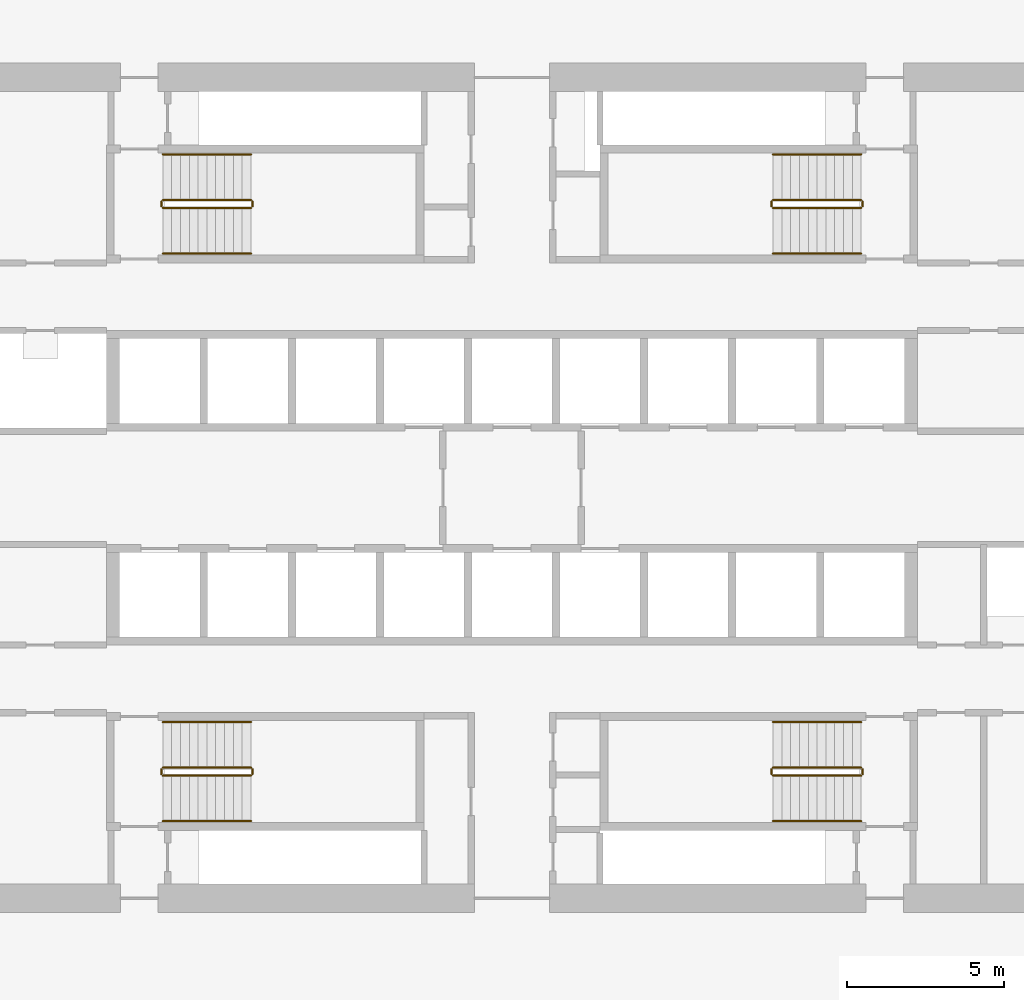
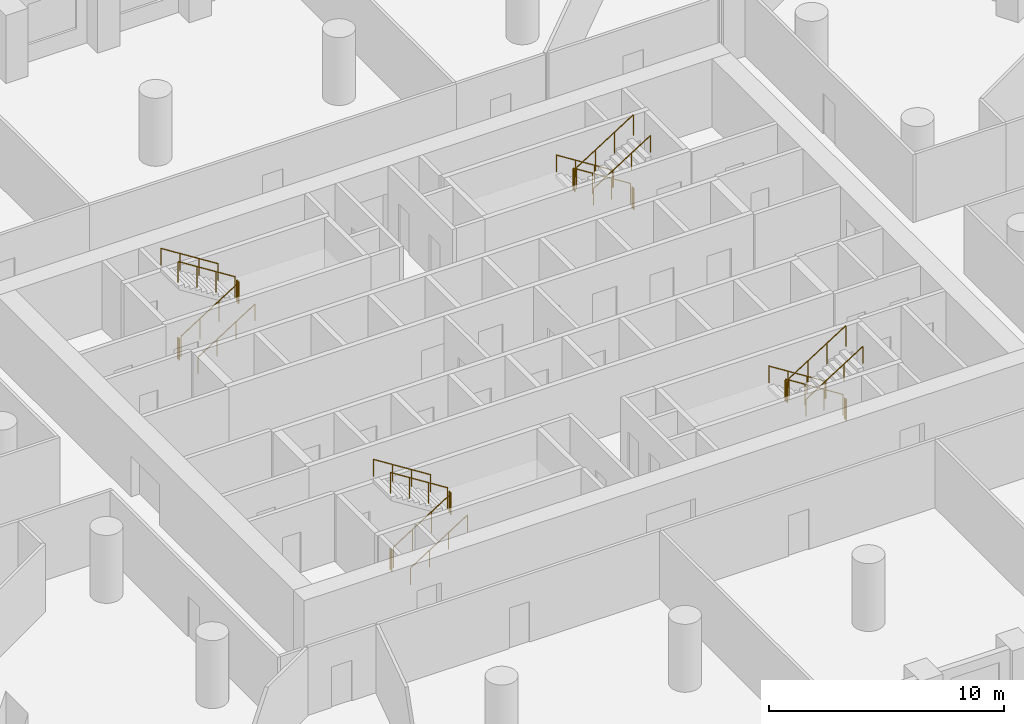
# One storey, part 10 of 10: 24 railings.
"""IFC4 building model written with IfcOpenShell, lengths in metres."""

from ifc_helpers import new_model, si_unit, direction, frame, origin, origin_2d, place, context, subcontext, project, spatial, circle, extrude, material, type_object, element, save


model = new_model("IFC4")

# Units and contexts
model_context = context("Model", 3, precision=1e-05, world=origin(), true_north=direction((0.0, 1.0)))
body_context = subcontext(model_context, "Body", "Model", "MODEL_VIEW")
ifc_project = project(units=[si_unit("LENGTHUNIT", "METRE"), si_unit("AREAUNIT", "SQUARE_METRE"), si_unit("VOLUMEUNIT", "CUBIC_METRE"), si_unit("PLANEANGLEUNIT", "RADIAN"), si_unit("MASSUNIT", "GRAM", prefix="KILO")], contexts=[model_context])

# Site, building, storey
site_placement = place(None, origin())
site = spatial("IfcSite", under=ifc_project, at=site_placement, CompositionType="ELEMENT")
building_placement = place(site_placement, origin())
building = spatial("IfcBuilding", under=site, at=building_placement, Name="Dhurran Vertical Campus", CompositionType="ELEMENT")
storey_placement = place(building_placement, frame((0.0, 0.0, 33.89990234375)))
storey = spatial("IfcBuildingStorey", under=building, at=storey_placement, Name="L07", CompositionType="ELEMENT", Elevation=33.89990234375)

# Railings
ifc_material_1 = material(Name="Stainless steel balustrade", Category="steel")
railing_type_1 = type_object("IfcRailingType", Name="co-RL-GUARD-1100", PredefinedType="GUARDRAIL", material=ifc_material_1)
railing_1_placement = place(storey_placement, frame((-11.10009765625, 8.89990234375, 0.177490234375)))
element("IfcRailing", 1, at=railing_1_placement, inside=storey, type_object=railing_type_1, Name="L07 ST1 stair guard 1", PredefinedType="GUARDRAIL", context=body_context, shape_type="SweptSolid", body=[
    extrude(circle(Radius=0.02392578125, at=origin_2d()), frame((0.0, 0.0, 1.076171875), z_axis=(0.844908973607, 0.0, 0.534910110503), x_axis=(0.0, 1.0, 0.0)), (0.0, 0.0, 1.0), 3.31396484375),
    extrude(circle(Radius=0.02099609375, at=origin_2d()), origin(), (0.0, 0.0, 1.0), 1.052001953125),
    extrude(circle(Radius=0.02099609375, at=origin_2d()), frame((0.933349609375, 0.0, 0.5908203125)), (0.0, 0.0, 1.0), 1.052001953125),
    extrude(circle(Radius=0.02099609375, at=origin_2d()), frame((1.86669921875, 0.0, 1.181884765625)), (0.0, 0.0, 1.0), 1.052001953125),
    extrude(circle(Radius=0.02099609375, at=origin_2d()), frame((2.800048828125, 0.0, 1.772705078125)), (0.0, 0.0, 1.0), 1.052001953125),
])
railing_2_placement = place(storey_placement, frame((-8.25, 8.949951171875, 1.9501953125)))
element("IfcRailing", 2, at=railing_2_placement, inside=storey, type_object=railing_type_1, Name="L07 ST1 stair guard 2", PredefinedType="GUARDRAIL", context=body_context, shape_type="SweptSolid", body=[
    extrude(circle(Radius=0.02392578125, at=origin_2d()), frame((0.0, 0.0, 1.076171875), z_axis=(0.0, 1.0, 0.0), x_axis=(-1.0, 0.0, 0.0)), (0.0, 0.0, 1.0), 0.150146484375),
    extrude(circle(Radius=0.02099609375, at=origin_2d()), origin(), (0.0, 0.0, 1.0), 1.052001953125),
    extrude(circle(Radius=0.02099609375, at=origin_2d()), frame((0.0, 0.150146484375, 0.0)), (0.0, 0.0, 1.0), 1.052001953125),
])
railing_3_placement = place(storey_placement, frame((-8.300048828125, 9.14990234375, 2.12744140625)))
element("IfcRailing", 3, at=railing_3_placement, inside=storey, type_object=railing_type_1, Name="L07 ST1 stair guard 3", PredefinedType="GUARDRAIL", context=body_context, shape_type="SweptSolid", body=[
    extrude(circle(Radius=0.02392578125, at=origin_2d()), frame((0.0, 0.0, 1.076171875), z_axis=(-0.844908973607, 0.0, 0.534910110503), x_axis=(0.0, -1.0, 0.0)), (0.0, 0.0, 1.0), 3.31396484375),
    extrude(circle(Radius=0.02099609375, at=origin_2d()), origin(), (0.0, 0.0, 1.0), 1.052001953125),
    extrude(circle(Radius=0.02099609375, at=origin_2d()), frame((-0.933349609375, 0.0, 0.5908203125)), (0.0, 0.0, 1.0), 1.052001953125),
    extrude(circle(Radius=0.02099609375, at=origin_2d()), frame((-1.86669921875, 0.0, 1.181884765625)), (0.0, 0.0, 1.0), 1.052001953125),
    extrude(circle(Radius=0.02099609375, at=origin_2d()), frame((-2.800048828125, 0.0, 1.772705078125)), (0.0, 0.0, 1.0), 1.052001953125),
])
railing_4_placement = place(storey_placement, frame((-11.14990234375, 8.949951171875, 0.0)))
element("IfcRailing", 4, at=railing_4_placement, inside=storey, type_object=railing_type_1, Name="L07 ST1 stair guard 4", PredefinedType="GUARDRAIL", context=body_context, shape_type="SweptSolid", body=[
    extrude(circle(Radius=0.02392578125, at=origin_2d()), frame((0.0, 0.0, 1.076171875), z_axis=(0.0, 1.0, 0.0), x_axis=(-1.0, 0.0, 0.0)), (0.0, 0.0, 1.0), 0.150146484375),
    extrude(circle(Radius=0.02099609375, at=origin_2d()), origin(), (0.0, 0.0, 1.0), 1.052001953125),
    extrude(circle(Radius=0.02099609375, at=origin_2d()), frame((0.0, 0.150146484375, 0.0)), (0.0, 0.0, 1.0), 1.052001953125),
])
railing_5_placement = place(storey_placement, frame((11.10009765625, 9.14990234375, 0.177490234375)))
element("IfcRailing", 5, at=railing_5_placement, inside=storey, type_object=railing_type_1, Name="L07 ST2 stair guard 1", PredefinedType="GUARDRAIL", context=body_context, shape_type="SweptSolid", body=[
    extrude(circle(Radius=0.02392578125, at=origin_2d()), frame((0.0, 0.0, 1.076171875), z_axis=(-0.844908973607, 0.0, 0.534910110503), x_axis=(0.0, -1.0, 0.0)), (0.0, 0.0, 1.0), 3.31396484375),
    extrude(circle(Radius=0.02099609375, at=origin_2d()), origin(), (0.0, 0.0, 1.0), 1.052001953125),
    extrude(circle(Radius=0.02099609375, at=origin_2d()), frame((-0.933349609375, 0.0, 0.5908203125)), (0.0, 0.0, 1.0), 1.052001953125),
    extrude(circle(Radius=0.02099609375, at=origin_2d()), frame((-1.86669921875, 0.0, 1.181884765625)), (0.0, 0.0, 1.0), 1.052001953125),
    extrude(circle(Radius=0.02099609375, at=origin_2d()), frame((-2.800048828125, 0.0, 1.772705078125)), (0.0, 0.0, 1.0), 1.052001953125),
])
railing_6_placement = place(storey_placement, frame((8.25, 9.10009765625, 1.9501953125)))
element("IfcRailing", 6, at=railing_6_placement, inside=storey, type_object=railing_type_1, Name="L07 ST2 stair guard 2", PredefinedType="GUARDRAIL", context=body_context, shape_type="SweptSolid", body=[
    extrude(circle(Radius=0.02392578125, at=origin_2d()), frame((0.0, 0.0, 1.076171875), z_axis=(0.0, -1.0, 0.0), x_axis=(1.0, 0.0, 0.0)), (0.0, 0.0, 1.0), 0.150146484375),
    extrude(circle(Radius=0.02099609375, at=origin_2d()), origin(), (0.0, 0.0, 1.0), 1.052001953125),
    extrude(circle(Radius=0.02099609375, at=origin_2d()), frame((0.0, -0.150146484375, 0.0)), (0.0, 0.0, 1.0), 1.052001953125),
])
railing_7_placement = place(storey_placement, frame((8.300048828125, 8.89990234375, 2.12744140625)))
element("IfcRailing", 7, at=railing_7_placement, inside=storey, type_object=railing_type_1, Name="L07 ST2 stair guard 3", PredefinedType="GUARDRAIL", context=body_context, shape_type="SweptSolid", body=[
    extrude(circle(Radius=0.02392578125, at=origin_2d()), frame((0.0, 0.0, 1.076171875), z_axis=(0.844908973607, 0.0, 0.534910110503), x_axis=(0.0, 1.0, 0.0)), (0.0, 0.0, 1.0), 3.31396484375),
    extrude(circle(Radius=0.02099609375, at=origin_2d()), origin(), (0.0, 0.0, 1.0), 1.052001953125),
    extrude(circle(Radius=0.02099609375, at=origin_2d()), frame((0.933349609375, 0.0, 0.5908203125)), (0.0, 0.0, 1.0), 1.052001953125),
    extrude(circle(Radius=0.02099609375, at=origin_2d()), frame((1.86669921875, 0.0, 1.181884765625)), (0.0, 0.0, 1.0), 1.052001953125),
    extrude(circle(Radius=0.02099609375, at=origin_2d()), frame((2.800048828125, 0.0, 1.772705078125)), (0.0, 0.0, 1.0), 1.052001953125),
])
railing_8_placement = place(storey_placement, frame((11.14990234375, 9.10009765625, 0.0)))
element("IfcRailing", 8, at=railing_8_placement, inside=storey, type_object=railing_type_1, Name="L07 ST2 stair guard 4", PredefinedType="GUARDRAIL", context=body_context, shape_type="SweptSolid", body=[
    extrude(circle(Radius=0.02392578125, at=origin_2d()), frame((0.0, 0.0, 1.076171875), z_axis=(0.0, -1.0, 0.0), x_axis=(1.0, 0.0, 0.0)), (0.0, 0.0, 1.0), 0.150146484375),
    extrude(circle(Radius=0.02099609375, at=origin_2d()), origin(), (0.0, 0.0, 1.0), 1.052001953125),
    extrude(circle(Radius=0.02099609375, at=origin_2d()), frame((0.0, -0.150146484375, 0.0)), (0.0, 0.0, 1.0), 1.052001953125),
])
railing_9_placement = place(storey_placement, frame((-11.10009765625, -9.14990234375, 0.177490234375)))
element("IfcRailing", 9, at=railing_9_placement, inside=storey, type_object=railing_type_1, Name="L07 ST3 stair guard 1", PredefinedType="GUARDRAIL", context=body_context, shape_type="SweptSolid", body=[
    extrude(circle(Radius=0.02392578125, at=origin_2d()), frame((0.0, 0.0, 1.076171875), z_axis=(0.844908973607, 0.0, 0.534910110503), x_axis=(0.0, 1.0, 0.0)), (0.0, 0.0, 1.0), 3.31396484375),
    extrude(circle(Radius=0.02099609375, at=origin_2d()), origin(), (0.0, 0.0, 1.0), 1.052001953125),
    extrude(circle(Radius=0.02099609375, at=origin_2d()), frame((0.933349609375, 0.0, 0.5908203125)), (0.0, 0.0, 1.0), 1.052001953125),
    extrude(circle(Radius=0.02099609375, at=origin_2d()), frame((1.86669921875, 0.0, 1.181884765625)), (0.0, 0.0, 1.0), 1.052001953125),
    extrude(circle(Radius=0.02099609375, at=origin_2d()), frame((2.800048828125, 0.0, 1.772705078125)), (0.0, 0.0, 1.0), 1.052001953125),
])
railing_10_placement = place(storey_placement, frame((-8.25, -9.10009765625, 1.9501953125)))
element("IfcRailing", 10, at=railing_10_placement, inside=storey, type_object=railing_type_1, Name="L07 ST3 stair guard 2", PredefinedType="GUARDRAIL", context=body_context, shape_type="SweptSolid", body=[
    extrude(circle(Radius=0.02392578125, at=origin_2d()), frame((0.0, 0.0, 1.076171875), z_axis=(0.0, 1.0, 0.0), x_axis=(-1.0, 0.0, 0.0)), (0.0, 0.0, 1.0), 0.150146484375),
    extrude(circle(Radius=0.02099609375, at=origin_2d()), origin(), (0.0, 0.0, 1.0), 1.052001953125),
    extrude(circle(Radius=0.02099609375, at=origin_2d()), frame((0.0, 0.150146484375, 0.0)), (0.0, 0.0, 1.0), 1.052001953125),
])
railing_11_placement = place(storey_placement, frame((-8.300048828125, -8.89990234375, 2.12744140625)))
element("IfcRailing", 11, at=railing_11_placement, inside=storey, type_object=railing_type_1, Name="L07 ST3 stair guard 3", PredefinedType="GUARDRAIL", context=body_context, shape_type="SweptSolid", body=[
    extrude(circle(Radius=0.02392578125, at=origin_2d()), frame((0.0, 0.0, 1.076171875), z_axis=(-0.844908973607, 0.0, 0.534910110503), x_axis=(0.0, -1.0, 0.0)), (0.0, 0.0, 1.0), 3.31396484375),
    extrude(circle(Radius=0.02099609375, at=origin_2d()), origin(), (0.0, 0.0, 1.0), 1.052001953125),
    extrude(circle(Radius=0.02099609375, at=origin_2d()), frame((-0.933349609375, 0.0, 0.5908203125)), (0.0, 0.0, 1.0), 1.052001953125),
    extrude(circle(Radius=0.02099609375, at=origin_2d()), frame((-1.86669921875, 0.0, 1.181884765625)), (0.0, 0.0, 1.0), 1.052001953125),
    extrude(circle(Radius=0.02099609375, at=origin_2d()), frame((-2.800048828125, 0.0, 1.772705078125)), (0.0, 0.0, 1.0), 1.052001953125),
])
railing_12_placement = place(storey_placement, frame((-11.14990234375, -9.10009765625, 0.0)))
element("IfcRailing", 12, at=railing_12_placement, inside=storey, type_object=railing_type_1, Name="L07 ST3 stair guard 4", PredefinedType="GUARDRAIL", context=body_context, shape_type="SweptSolid", body=[
    extrude(circle(Radius=0.02392578125, at=origin_2d()), frame((0.0, 0.0, 1.076171875), z_axis=(0.0, 1.0, 0.0), x_axis=(-1.0, 0.0, 0.0)), (0.0, 0.0, 1.0), 0.150146484375),
    extrude(circle(Radius=0.02099609375, at=origin_2d()), origin(), (0.0, 0.0, 1.0), 1.052001953125),
    extrude(circle(Radius=0.02099609375, at=origin_2d()), frame((0.0, 0.150146484375, 0.0)), (0.0, 0.0, 1.0), 1.052001953125),
])
railing_13_placement = place(storey_placement, frame((11.10009765625, -8.89990234375, 0.177490234375)))
element("IfcRailing", 13, at=railing_13_placement, inside=storey, type_object=railing_type_1, Name="L07 ST4 stair guard 1", PredefinedType="GUARDRAIL", context=body_context, shape_type="SweptSolid", body=[
    extrude(circle(Radius=0.02392578125, at=origin_2d()), frame((0.0, 0.0, 1.076171875), z_axis=(-0.844908973607, 0.0, 0.534910110503), x_axis=(0.0, -1.0, 0.0)), (0.0, 0.0, 1.0), 3.31396484375),
    extrude(circle(Radius=0.02099609375, at=origin_2d()), origin(), (0.0, 0.0, 1.0), 1.052001953125),
    extrude(circle(Radius=0.02099609375, at=origin_2d()), frame((-0.933349609375, 0.0, 0.5908203125)), (0.0, 0.0, 1.0), 1.052001953125),
    extrude(circle(Radius=0.02099609375, at=origin_2d()), frame((-1.86669921875, 0.0, 1.181884765625)), (0.0, 0.0, 1.0), 1.052001953125),
    extrude(circle(Radius=0.02099609375, at=origin_2d()), frame((-2.800048828125, 0.0, 1.772705078125)), (0.0, 0.0, 1.0), 1.052001953125),
])
railing_14_placement = place(storey_placement, frame((8.25, -8.949951171875, 1.9501953125)))
element("IfcRailing", 14, at=railing_14_placement, inside=storey, type_object=railing_type_1, Name="L07 ST4 stair guard 2", PredefinedType="GUARDRAIL", context=body_context, shape_type="SweptSolid", body=[
    extrude(circle(Radius=0.02392578125, at=origin_2d()), frame((0.0, 0.0, 1.076171875), z_axis=(0.0, -1.0, 0.0), x_axis=(1.0, 0.0, 0.0)), (0.0, 0.0, 1.0), 0.150146484375),
    extrude(circle(Radius=0.02099609375, at=origin_2d()), origin(), (0.0, 0.0, 1.0), 1.052001953125),
    extrude(circle(Radius=0.02099609375, at=origin_2d()), frame((0.0, -0.150146484375, 0.0)), (0.0, 0.0, 1.0), 1.052001953125),
])
railing_15_placement = place(storey_placement, frame((8.300048828125, -9.14990234375, 2.12744140625)))
element("IfcRailing", 15, at=railing_15_placement, inside=storey, type_object=railing_type_1, Name="L07 ST4 stair guard 3", PredefinedType="GUARDRAIL", context=body_context, shape_type="SweptSolid", body=[
    extrude(circle(Radius=0.02392578125, at=origin_2d()), frame((0.0, 0.0, 1.076171875), z_axis=(0.844908973607, 0.0, 0.534910110503), x_axis=(0.0, 1.0, 0.0)), (0.0, 0.0, 1.0), 3.31396484375),
    extrude(circle(Radius=0.02099609375, at=origin_2d()), origin(), (0.0, 0.0, 1.0), 1.052001953125),
    extrude(circle(Radius=0.02099609375, at=origin_2d()), frame((0.933349609375, 0.0, 0.5908203125)), (0.0, 0.0, 1.0), 1.052001953125),
    extrude(circle(Radius=0.02099609375, at=origin_2d()), frame((1.86669921875, 0.0, 1.181884765625)), (0.0, 0.0, 1.0), 1.052001953125),
    extrude(circle(Radius=0.02099609375, at=origin_2d()), frame((2.800048828125, 0.0, 1.772705078125)), (0.0, 0.0, 1.0), 1.052001953125),
])
railing_16_placement = place(storey_placement, frame((11.14990234375, -8.949951171875, 0.0)))
element("IfcRailing", 16, at=railing_16_placement, inside=storey, type_object=railing_type_1, Name="L07 ST4 stair guard 4", PredefinedType="GUARDRAIL", context=body_context, shape_type="SweptSolid", body=[
    extrude(circle(Radius=0.02392578125, at=origin_2d()), frame((0.0, 0.0, 1.076171875), z_axis=(0.0, -1.0, 0.0), x_axis=(1.0, 0.0, 0.0)), (0.0, 0.0, 1.0), 0.150146484375),
    extrude(circle(Radius=0.02099609375, at=origin_2d()), origin(), (0.0, 0.0, 1.0), 1.052001953125),
    extrude(circle(Radius=0.02099609375, at=origin_2d()), frame((0.0, -0.150146484375, 0.0)), (0.0, 0.0, 1.0), 1.052001953125),
])
ifc_material_2 = material(Name="Stainless steel handrail", Category="steel")
railing_type_2 = type_object("IfcRailingType", Name="co-RL-HANDRAIL-900", PredefinedType="HANDRAIL", material=ifc_material_2)
railing_17_placement = place(storey_placement, frame((-11.10009765625, 7.449951171875, 0.177490234375)))
element("IfcRailing", 17, at=railing_17_placement, inside=storey, type_object=railing_type_2, Name="L07 ST1 stair handrail 1", PredefinedType="HANDRAIL", context=body_context, shape_type="SweptSolid", body=[
    extrude(circle(Radius=0.02392578125, at=origin_2d()), frame((0.0, 0.0, 0.8759765625), z_axis=(0.844908973607, 0.0, 0.534910110503), x_axis=(0.0, 1.0, 0.0)), (0.0, 0.0, 1.0), 3.31396484375),
    extrude(circle(Radius=0.02099609375, at=origin_2d()), origin(), (0.0, 0.0, 1.0), 0.851806640625),
    extrude(circle(Radius=0.02099609375, at=origin_2d()), frame((0.933349609375, 0.0, 0.5908203125)), (0.0, 0.0, 1.0), 0.851806640625),
    extrude(circle(Radius=0.02099609375, at=origin_2d()), frame((1.86669921875, 0.0, 1.181884765625)), (0.0, 0.0, 1.0), 0.851806640625),
    extrude(circle(Radius=0.02099609375, at=origin_2d()), frame((2.800048828125, 0.0, 1.772705078125)), (0.0, 0.0, 1.0), 0.851806640625),
])
for number, where, name in (
    (18, (-8.300048828125, 10.60009765625, 2.12744140625), "L07 ST1 stair handrail 2"),
    (19, (11.10009765625, 10.60009765625, 0.177490234375), "L07 ST2 stair handrail 1"),
):
    element("IfcRailing", number, at=place(storey_placement, frame(where)), inside=storey, type_object=railing_type_2, Name=name, PredefinedType="HANDRAIL", context=body_context, shape_type="SweptSolid", body=[
        extrude(circle(Radius=0.02392578125, at=origin_2d()), frame((0.0, 0.0, 0.8759765625), z_axis=(-0.844908973607, 0.0, 0.534910110503), x_axis=(0.0, -1.0, 0.0)), (0.0, 0.0, 1.0), 3.31396484375),
        extrude(circle(Radius=0.02099609375, at=origin_2d()), origin(), (0.0, 0.0, 1.0), 0.851806640625),
        extrude(circle(Radius=0.02099609375, at=origin_2d()), frame((-0.933349609375, 0.0, 0.5908203125)), (0.0, 0.0, 1.0), 0.851806640625),
        extrude(circle(Radius=0.02099609375, at=origin_2d()), frame((-1.86669921875, 0.0, 1.181884765625)), (0.0, 0.0, 1.0), 0.851806640625),
        extrude(circle(Radius=0.02099609375, at=origin_2d()), frame((-2.800048828125, 0.0, 1.772705078125)), (0.0, 0.0, 1.0), 0.851806640625),
    ])
for number, where, name in (
    (20, (8.300048828125, 7.449951171875, 2.12744140625), "L07 ST2 stair handrail 2"),
    (21, (-11.10009765625, -10.60009765625, 0.177490234375), "L07 ST3 stair handrail 1"),
):
    element("IfcRailing", number, at=place(storey_placement, frame(where)), inside=storey, type_object=railing_type_2, Name=name, PredefinedType="HANDRAIL", context=body_context, shape_type="SweptSolid", body=[
        extrude(circle(Radius=0.02392578125, at=origin_2d()), frame((0.0, 0.0, 0.8759765625), z_axis=(0.844908973607, 0.0, 0.534910110503), x_axis=(0.0, 1.0, 0.0)), (0.0, 0.0, 1.0), 3.31396484375),
        extrude(circle(Radius=0.02099609375, at=origin_2d()), origin(), (0.0, 0.0, 1.0), 0.851806640625),
        extrude(circle(Radius=0.02099609375, at=origin_2d()), frame((0.933349609375, 0.0, 0.5908203125)), (0.0, 0.0, 1.0), 0.851806640625),
        extrude(circle(Radius=0.02099609375, at=origin_2d()), frame((1.86669921875, 0.0, 1.181884765625)), (0.0, 0.0, 1.0), 0.851806640625),
        extrude(circle(Radius=0.02099609375, at=origin_2d()), frame((2.800048828125, 0.0, 1.772705078125)), (0.0, 0.0, 1.0), 0.851806640625),
    ])
for number, where, name in (
    (22, (-8.300048828125, -7.449951171875, 2.12744140625), "L07 ST3 stair handrail 2"),
    (23, (11.10009765625, -7.449951171875, 0.177490234375), "L07 ST4 stair handrail 1"),
):
    element("IfcRailing", number, at=place(storey_placement, frame(where)), inside=storey, type_object=railing_type_2, Name=name, PredefinedType="HANDRAIL", context=body_context, shape_type="SweptSolid", body=[
        extrude(circle(Radius=0.02392578125, at=origin_2d()), frame((0.0, 0.0, 0.8759765625), z_axis=(-0.844908973607, 0.0, 0.534910110503), x_axis=(0.0, -1.0, 0.0)), (0.0, 0.0, 1.0), 3.31396484375),
        extrude(circle(Radius=0.02099609375, at=origin_2d()), origin(), (0.0, 0.0, 1.0), 0.851806640625),
        extrude(circle(Radius=0.02099609375, at=origin_2d()), frame((-0.933349609375, 0.0, 0.5908203125)), (0.0, 0.0, 1.0), 0.851806640625),
        extrude(circle(Radius=0.02099609375, at=origin_2d()), frame((-1.86669921875, 0.0, 1.181884765625)), (0.0, 0.0, 1.0), 0.851806640625),
        extrude(circle(Radius=0.02099609375, at=origin_2d()), frame((-2.800048828125, 0.0, 1.772705078125)), (0.0, 0.0, 1.0), 0.851806640625),
    ])
railing_18_placement = place(storey_placement, frame((8.300048828125, -10.60009765625, 2.12744140625)))
element("IfcRailing", 24, at=railing_18_placement, inside=storey, type_object=railing_type_2, Name="L07 ST4 stair handrail 2", PredefinedType="HANDRAIL", context=body_context, shape_type="SweptSolid", body=[
    extrude(circle(Radius=0.02392578125, at=origin_2d()), frame((0.0, 0.0, 0.8759765625), z_axis=(0.844908973607, 0.0, 0.534910110503), x_axis=(0.0, 1.0, 0.0)), (0.0, 0.0, 1.0), 3.31396484375),
    extrude(circle(Radius=0.02099609375, at=origin_2d()), origin(), (0.0, 0.0, 1.0), 0.851806640625),
    extrude(circle(Radius=0.02099609375, at=origin_2d()), frame((0.933349609375, 0.0, 0.5908203125)), (0.0, 0.0, 1.0), 0.851806640625),
    extrude(circle(Radius=0.02099609375, at=origin_2d()), frame((1.86669921875, 0.0, 1.181884765625)), (0.0, 0.0, 1.0), 0.851806640625),
    extrude(circle(Radius=0.02099609375, at=origin_2d()), frame((2.800048828125, 0.0, 1.772705078125)), (0.0, 0.0, 1.0), 0.851806640625),
])

save(model, "model.ifc")
